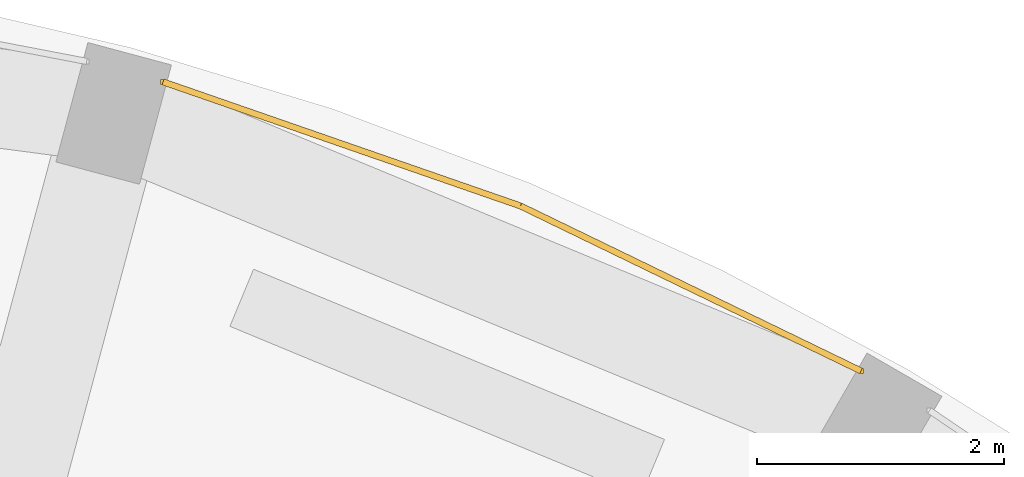
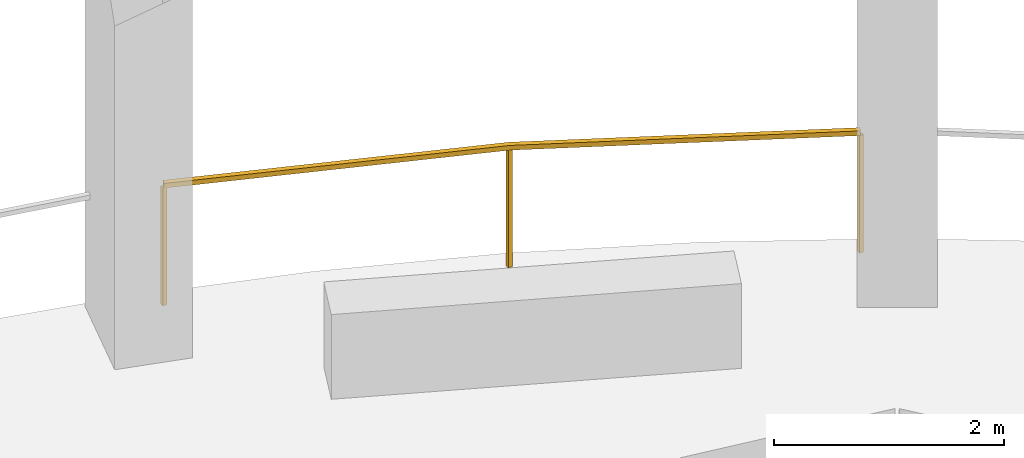
# One storey, part 8 of 8: 1 railing.
"""IFC4 building model written with IfcOpenShell, lengths in metres."""

from ifc_helpers import new_model, si_unit, direction, frame, origin, origin_2d, place, context, subcontext, project, spatial, rectangle, extrude, material, type_object, element, save


model = new_model("IFC4")

# Units and contexts
model_context = context("Model", 3, precision=1e-05, world=origin(), true_north=direction((0.0, 1.0)))
body_context = subcontext(model_context, "Body", "Model", "MODEL_VIEW")
ifc_project = project(units=[si_unit("LENGTHUNIT", "METRE"), si_unit("AREAUNIT", "SQUARE_METRE"), si_unit("VOLUMEUNIT", "CUBIC_METRE"), si_unit("PLANEANGLEUNIT", "RADIAN"), si_unit("MASSUNIT", "GRAM", prefix="KILO")], contexts=[model_context])

# Site, building, storey
site_placement = place(None, origin())
site = spatial("IfcSite", under=ifc_project, at=site_placement, CompositionType="ELEMENT")
building_placement = place(site_placement, origin())
building = spatial("IfcBuilding", under=site, at=building_placement, Name="Torre Triforio", CompositionType="ELEMENT")
storey_placement = place(building_placement, frame((0.0, 0.0, 90.60009765625)))
storey = spatial("IfcBuildingStorey", under=building, at=storey_placement, Name="L19", CompositionType="ELEMENT", Elevation=90.60009765625)

# Railing
ifc_material = material(Name="Stainless steel AISI 316", Category="steel")
railing_type = type_object("IfcRailingType", Name="Loggia guard 1300", PredefinedType="GUARDRAIL", material=ifc_material)
railing_placement = place(storey_placement, frame((12.64794921875, 22.546875, 0.0)))
element("IfcRailing", 1, at=railing_placement, inside=storey, type_object=railing_type, Name="Loggia guard L19 bay 05", PredefinedType="GUARDRAIL", context=body_context, shape_type="SweptSolid", body=[
    extrude(rectangle(XDim=0.050048828125, YDim=0.050048828125, at=origin_2d()), frame((0.0, 0.0, 1.27490234375), z_axis=(-0.899891864914, 0.436113094806, 0.0), x_axis=(-0.436113094806, -0.899891864914, 0.0)), (0.0, 0.0, 1.0), 3.062255859375),
    extrude(rectangle(XDim=0.050048828125, YDim=0.050048828125, at=origin_2d()), frame((-2.755615234375, 1.33544921875, 1.27490234375), z_axis=(-0.944704198295, 0.327923737665, 0.0), x_axis=(-0.327923737665, -0.944704198295, 0.0)), (0.0, 0.0, 1.0), 3.062255859375),
    extrude(rectangle(XDim=0.0400390625, YDim=0.0400390625, at=origin_2d()), origin(), (0.0, 0.0, 1.0), 1.25),
    extrude(rectangle(XDim=0.0400390625, YDim=0.0400390625, at=origin_2d()), frame((-2.755615234375, 1.33544921875, 0.0)), (0.0, 0.0, 1.0), 1.25),
    extrude(rectangle(XDim=0.0400390625, YDim=0.0400390625, at=origin_2d()), frame((-5.6484375, 2.339599609375, 0.0)), (0.0, 0.0, 1.0), 1.25),
])

save(model, "model.ifc")
